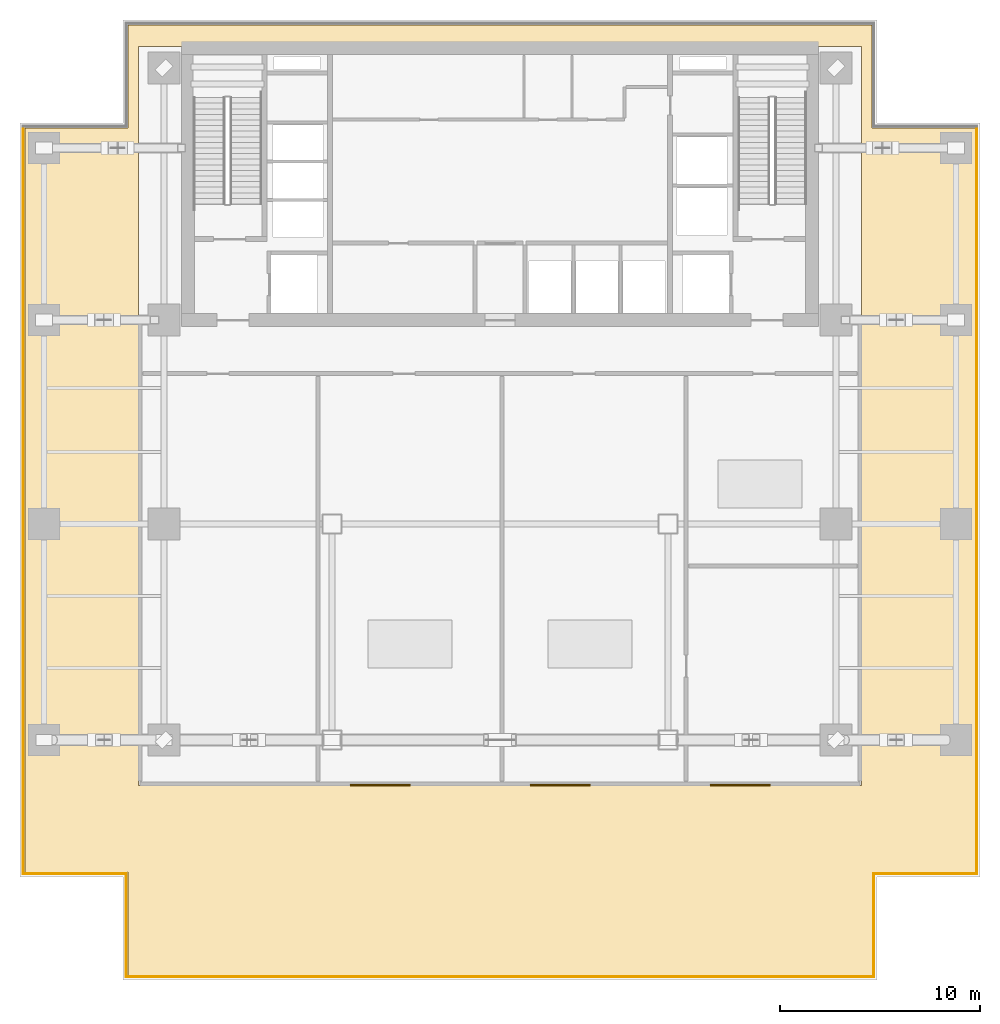
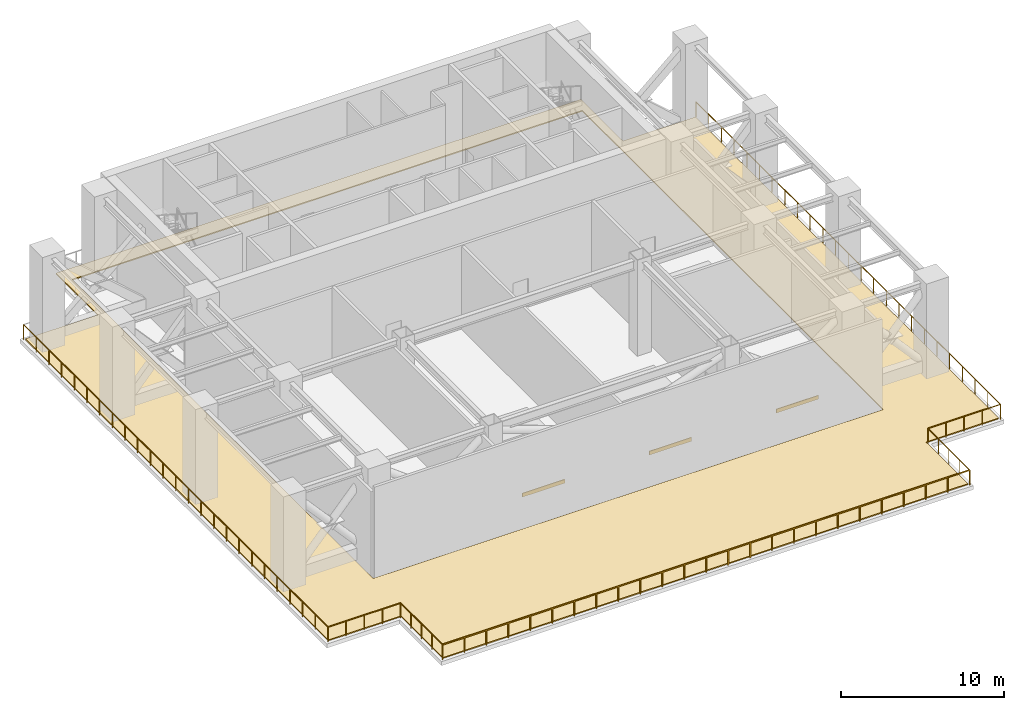
# One storey, part 5 of 8: 7 railings, 3 shading devices, 1 covering.
"""IFC4 building model written with IfcOpenShell, lengths in metres."""

from ifc_helpers import new_model, si_unit, direction, frame, origin, origin_2d, place, context, subcontext, project, spatial, polyline, rectangle, outline, extrude, source, transform, mapped, material, layer, layer_set, material_profile, profile_set, type_object, element, save


model = new_model("IFC4")

# Units and contexts
model_context = context("Model", 3, precision=1e-05, world=origin(), true_north=direction((0.0, 1.0)))
body_context = subcontext(model_context, "Body", "Model", "MODEL_VIEW")
ifc_project = project(units=[si_unit("LENGTHUNIT", "METRE"), si_unit("AREAUNIT", "SQUARE_METRE"), si_unit("VOLUMEUNIT", "CUBIC_METRE"), si_unit("PLANEANGLEUNIT", "RADIAN"), si_unit("MASSUNIT", "GRAM", prefix="KILO")], contexts=[model_context])

# Site, building, storey
site_placement = place(None, origin())
site = spatial("IfcSite", under=ifc_project, at=site_placement, CompositionType="ELEMENT")
building_placement = place(site_placement, origin())
building = spatial("IfcBuilding", under=site, at=building_placement, Name="Sumidabori Civic Tower", CompositionType="ELEMENT")
storey_placement = place(building_placement, frame((0.0, 0.0, 189.199951171875)))
storey = spatial("IfcBuildingStorey", under=building, at=storey_placement, Name="L49", CompositionType="ELEMENT", Elevation=189.199951171875)

# Covering
ifc_material_1 = material(Name="Insulated Waterproof Roofing Membrane")
ifc_layer = layer(ifc_material_1, 0.080078125, Name="Insulated Waterproof Roofing Membrane")
ifc_layer_set = layer_set([ifc_layer], Name="Insulated Waterproof Roofing Membrane")
covering_type = type_object("IfcCoveringType", Name="CV-ROOF-MEM", PredefinedType="ROOFING", material=ifc_layer_set)
covering_placement = place(storey_placement, origin())
element("IfcCovering", 1, at=covering_placement, inside=storey, type_object=covering_type, Name="Wind-Slot Deck Waterproofing Membrane L49-1", PredefinedType="ROOFING", context=body_context, shape_type="SweptSolid", body=[
    extrude(outline(polyline([(-18.610107421875, -17.409912109375), (-23.760009765625, -17.409912109375), (-23.760009765625, 19.81005859375), (-18.610107421875, 19.81005859375), (-18.610107421875, 24.9599609375), (18.610107421875, 24.9599609375), (18.610107421875, 19.81005859375), (23.760009765625, 19.81005859375), (23.760009765625, -17.409912109375), (18.610107421875, -17.409912109375), (18.610107421875, -22.56005859375), (-18.610107421875, -22.56005859375), (-18.610107421875, -17.409912109375)]), holes=[polyline([(18.080078125, 23.8798828125), (-18.080078125, 23.8798828125), (-18.080078125, -13.080078125), (18.080078125, -13.080078125), (18.080078125, 23.8798828125)])]), origin(), (0.0, 0.0, 1.0), 0.080078125),
])

# Railings
ifc_material_2 = material(Name="Anodised Bronze Aluminium AW-6063-T6", Category="aluminium")
railing_type = type_object("IfcRailingType", Name="RL-BAL-1150", PredefinedType="BALUSTRADE", material=ifc_material_2)
railing_1_placement = place(storey_placement, frame((-18.68994140625, -22.639892578125, 0.0)))
element("IfcRailing", 2, at=railing_1_placement, inside=storey, type_object=railing_type, Name="Wind-Slot Refuge Portal Safety Guard L49-01", PredefinedType="BALUSTRADE", context=body_context, shape_type="SweptSolid", body=[
    extrude(rectangle(XDim=0.048095703125, YDim=0.048095703125, at=origin_2d()), frame((0.0, 0.0, 1.1259765625), z_axis=(0.0, 1.0, 0.0), x_axis=(-1.0, 0.0, 0.0)), (0.0, 0.0, 1.0), 5.14990234375),
    extrude(rectangle(XDim=0.0419921875, YDim=0.0419921875, at=origin_2d()), origin(), (0.0, 0.0, 1.0), 1.101806640625),
    extrude(rectangle(XDim=0.0419921875, YDim=0.0419921875, at=origin_2d()), frame((0.0, 1.28759765625, 0.0)), (0.0, 0.0, 1.0), 1.101806640625),
    extrude(rectangle(XDim=0.0419921875, YDim=0.0419921875, at=origin_2d()), frame((0.0, 2.574951171875, 0.0)), (0.0, 0.0, 1.0), 1.101806640625),
    extrude(rectangle(XDim=0.0419921875, YDim=0.0419921875, at=origin_2d()), frame((0.0, 3.8623046875, 0.0)), (0.0, 0.0, 1.0), 1.101806640625),
    extrude(rectangle(XDim=0.0419921875, YDim=0.0419921875, at=origin_2d()), frame((0.0, 5.14990234375, 0.0)), (0.0, 0.0, 1.0), 1.101806640625),
])
railing_2_placement = place(storey_placement, frame((-18.68994140625, -17.489990234375, 0.0)))
element("IfcRailing", 3, at=railing_2_placement, inside=storey, type_object=railing_type, Name="Wind-Slot Refuge Portal Safety Guard L49-02", PredefinedType="BALUSTRADE", context=body_context, shape_type="SweptSolid", body=[
    extrude(rectangle(XDim=0.048095703125, YDim=0.048095703125, at=origin_2d()), frame((0.0, 0.0, 1.1259765625), z_axis=(-1.0, 0.0, 0.0), x_axis=(0.0, -1.0, 0.0)), (0.0, 0.0, 1.0), 5.150146484375),
    extrude(rectangle(XDim=0.0419921875, YDim=0.0419921875, at=origin_2d()), origin(), (0.0, 0.0, 1.0), 1.101806640625),
    extrude(rectangle(XDim=0.0419921875, YDim=0.0419921875, at=origin_2d()), frame((-1.28759765625, 0.0, 0.0)), (0.0, 0.0, 1.0), 1.101806640625),
    extrude(rectangle(XDim=0.0419921875, YDim=0.0419921875, at=origin_2d()), frame((-2.5751953125, 0.0, 0.0)), (0.0, 0.0, 1.0), 1.101806640625),
    extrude(rectangle(XDim=0.0419921875, YDim=0.0419921875, at=origin_2d()), frame((-3.862548828125, 0.0, 0.0)), (0.0, 0.0, 1.0), 1.101806640625),
    extrude(rectangle(XDim=0.0419921875, YDim=0.0419921875, at=origin_2d()), frame((-5.150146484375, 0.0, 0.0)), (0.0, 0.0, 1.0), 1.101806640625),
])
railing_3_placement = place(storey_placement, frame((-23.840087890625, -17.489990234375, 0.0)))
element("IfcRailing", 4, at=railing_3_placement, inside=storey, type_object=railing_type, Name="Wind-Slot Refuge Portal Safety Guard L49-03", PredefinedType="BALUSTRADE", context=body_context, shape_type="SweptSolid", body=[
    extrude(rectangle(XDim=0.048095703125, YDim=0.048095703125, at=origin_2d()), frame((0.0, 0.0, 1.1259765625), z_axis=(0.0, 1.0, 0.0), x_axis=(-1.0, 0.0, 0.0)), (0.0, 0.0, 1.0), 37.3798828125),
    extrude(rectangle(XDim=0.0419921875, YDim=0.0419921875, at=origin_2d()), origin(), (0.0, 0.0, 1.0), 1.101806640625),
    extrude(rectangle(XDim=0.0419921875, YDim=0.0419921875, at=origin_2d()), frame((0.0, 1.5576171875, 0.0)), (0.0, 0.0, 1.0), 1.101806640625),
    extrude(rectangle(XDim=0.0419921875, YDim=0.0419921875, at=origin_2d()), frame((0.0, 3.114990234375, 0.0)), (0.0, 0.0, 1.0), 1.101806640625),
    extrude(rectangle(XDim=0.0419921875, YDim=0.0419921875, at=origin_2d()), frame((0.0, 4.67236328125, 0.0)), (0.0, 0.0, 1.0), 1.101806640625),
    extrude(rectangle(XDim=0.0419921875, YDim=0.0419921875, at=origin_2d()), frame((0.0, 6.22998046875, 0.0)), (0.0, 0.0, 1.0), 1.101806640625),
    extrude(rectangle(XDim=0.0419921875, YDim=0.0419921875, at=origin_2d()), frame((0.0, 7.78759765625, 0.0)), (0.0, 0.0, 1.0), 1.101806640625),
    extrude(rectangle(XDim=0.0419921875, YDim=0.0419921875, at=origin_2d()), frame((0.0, 9.344970703125, 0.0)), (0.0, 0.0, 1.0), 1.101806640625),
    extrude(rectangle(XDim=0.0419921875, YDim=0.0419921875, at=origin_2d()), frame((0.0, 10.90234375, 0.0)), (0.0, 0.0, 1.0), 1.101806640625),
    extrude(rectangle(XDim=0.0419921875, YDim=0.0419921875, at=origin_2d()), frame((0.0, 12.4599609375, 0.0)), (0.0, 0.0, 1.0), 1.101806640625),
    extrude(rectangle(XDim=0.0419921875, YDim=0.0419921875, at=origin_2d()), frame((0.0, 14.017578125, 0.0)), (0.0, 0.0, 1.0), 1.101806640625),
    extrude(rectangle(XDim=0.0419921875, YDim=0.0419921875, at=origin_2d()), frame((0.0, 15.574951171875, 0.0)), (0.0, 0.0, 1.0), 1.101806640625),
    extrude(rectangle(XDim=0.0419921875, YDim=0.0419921875, at=origin_2d()), frame((0.0, 17.13232421875, 0.0)), (0.0, 0.0, 1.0), 1.101806640625),
    extrude(rectangle(XDim=0.0419921875, YDim=0.0419921875, at=origin_2d()), frame((0.0, 18.68994140625, 0.0)), (0.0, 0.0, 1.0), 1.101806640625),
    extrude(rectangle(XDim=0.0419921875, YDim=0.0419921875, at=origin_2d()), frame((0.0, 20.24755859375, 0.0)), (0.0, 0.0, 1.0), 1.101806640625),
    extrude(rectangle(XDim=0.0419921875, YDim=0.0419921875, at=origin_2d()), frame((0.0, 21.804931640625, 0.0)), (0.0, 0.0, 1.0), 1.101806640625),
    extrude(rectangle(XDim=0.0419921875, YDim=0.0419921875, at=origin_2d()), frame((0.0, 23.3623046875, 0.0)), (0.0, 0.0, 1.0), 1.101806640625),
    extrude(rectangle(XDim=0.0419921875, YDim=0.0419921875, at=origin_2d()), frame((0.0, 24.919921875, 0.0)), (0.0, 0.0, 1.0), 1.101806640625),
    extrude(rectangle(XDim=0.0419921875, YDim=0.0419921875, at=origin_2d()), frame((0.0, 26.4775390625, 0.0)), (0.0, 0.0, 1.0), 1.101806640625),
    extrude(rectangle(XDim=0.0419921875, YDim=0.0419921875, at=origin_2d()), frame((0.0, 28.034912109375, 0.0)), (0.0, 0.0, 1.0), 1.101806640625),
    extrude(rectangle(XDim=0.0419921875, YDim=0.0419921875, at=origin_2d()), frame((0.0, 29.59228515625, 0.0)), (0.0, 0.0, 1.0), 1.101806640625),
    extrude(rectangle(XDim=0.0419921875, YDim=0.0419921875, at=origin_2d()), frame((0.0, 31.14990234375, 0.0)), (0.0, 0.0, 1.0), 1.101806640625),
    extrude(rectangle(XDim=0.0419921875, YDim=0.0419921875, at=origin_2d()), frame((0.0, 32.70751953125, 0.0)), (0.0, 0.0, 1.0), 1.101806640625),
    extrude(rectangle(XDim=0.0419921875, YDim=0.0419921875, at=origin_2d()), frame((0.0, 34.264892578125, 0.0)), (0.0, 0.0, 1.0), 1.101806640625),
    extrude(rectangle(XDim=0.0419921875, YDim=0.0419921875, at=origin_2d()), frame((0.0, 35.822265625, 0.0)), (0.0, 0.0, 1.0), 1.101806640625),
    extrude(rectangle(XDim=0.0419921875, YDim=0.0419921875, at=origin_2d()), frame((0.0, 37.3798828125, 0.0)), (0.0, 0.0, 1.0), 1.101806640625),
])
railing_4_placement = place(storey_placement, frame((23.840087890625, 19.889892578125, 0.0)))
element("IfcRailing", 5, at=railing_4_placement, inside=storey, type_object=railing_type, Name="Wind-Slot Refuge Portal Safety Guard L49-09", PredefinedType="BALUSTRADE", context=body_context, shape_type="SweptSolid", body=[
    extrude(rectangle(XDim=0.048095703125, YDim=0.048095703125, at=origin_2d()), frame((0.0, 0.0, 1.1259765625), z_axis=(0.0, -1.0, 0.0), x_axis=(1.0, 0.0, 0.0)), (0.0, 0.0, 1.0), 37.3798828125),
    extrude(rectangle(XDim=0.0419921875, YDim=0.0419921875, at=origin_2d()), origin(), (0.0, 0.0, 1.0), 1.101806640625),
    extrude(rectangle(XDim=0.0419921875, YDim=0.0419921875, at=origin_2d()), frame((0.0, -1.5576171875, 0.0)), (0.0, 0.0, 1.0), 1.101806640625),
    extrude(rectangle(XDim=0.0419921875, YDim=0.0419921875, at=origin_2d()), frame((0.0, -3.114990234375, 0.0)), (0.0, 0.0, 1.0), 1.101806640625),
    extrude(rectangle(XDim=0.0419921875, YDim=0.0419921875, at=origin_2d()), frame((0.0, -4.67236328125, 0.0)), (0.0, 0.0, 1.0), 1.101806640625),
    extrude(rectangle(XDim=0.0419921875, YDim=0.0419921875, at=origin_2d()), frame((0.0, -6.22998046875, 0.0)), (0.0, 0.0, 1.0), 1.101806640625),
    extrude(rectangle(XDim=0.0419921875, YDim=0.0419921875, at=origin_2d()), frame((0.0, -7.78759765625, 0.0)), (0.0, 0.0, 1.0), 1.101806640625),
    extrude(rectangle(XDim=0.0419921875, YDim=0.0419921875, at=origin_2d()), frame((0.0, -9.344970703125, 0.0)), (0.0, 0.0, 1.0), 1.101806640625),
    extrude(rectangle(XDim=0.0419921875, YDim=0.0419921875, at=origin_2d()), frame((0.0, -10.90234375, 0.0)), (0.0, 0.0, 1.0), 1.101806640625),
    extrude(rectangle(XDim=0.0419921875, YDim=0.0419921875, at=origin_2d()), frame((0.0, -12.4599609375, 0.0)), (0.0, 0.0, 1.0), 1.101806640625),
    extrude(rectangle(XDim=0.0419921875, YDim=0.0419921875, at=origin_2d()), frame((0.0, -14.017578125, 0.0)), (0.0, 0.0, 1.0), 1.101806640625),
    extrude(rectangle(XDim=0.0419921875, YDim=0.0419921875, at=origin_2d()), frame((0.0, -15.574951171875, 0.0)), (0.0, 0.0, 1.0), 1.101806640625),
    extrude(rectangle(XDim=0.0419921875, YDim=0.0419921875, at=origin_2d()), frame((0.0, -17.13232421875, 0.0)), (0.0, 0.0, 1.0), 1.101806640625),
    extrude(rectangle(XDim=0.0419921875, YDim=0.0419921875, at=origin_2d()), frame((0.0, -18.68994140625, 0.0)), (0.0, 0.0, 1.0), 1.101806640625),
    extrude(rectangle(XDim=0.0419921875, YDim=0.0419921875, at=origin_2d()), frame((0.0, -20.24755859375, 0.0)), (0.0, 0.0, 1.0), 1.101806640625),
    extrude(rectangle(XDim=0.0419921875, YDim=0.0419921875, at=origin_2d()), frame((0.0, -21.804931640625, 0.0)), (0.0, 0.0, 1.0), 1.101806640625),
    extrude(rectangle(XDim=0.0419921875, YDim=0.0419921875, at=origin_2d()), frame((0.0, -23.3623046875, 0.0)), (0.0, 0.0, 1.0), 1.101806640625),
    extrude(rectangle(XDim=0.0419921875, YDim=0.0419921875, at=origin_2d()), frame((0.0, -24.919921875, 0.0)), (0.0, 0.0, 1.0), 1.101806640625),
    extrude(rectangle(XDim=0.0419921875, YDim=0.0419921875, at=origin_2d()), frame((0.0, -26.4775390625, 0.0)), (0.0, 0.0, 1.0), 1.101806640625),
    extrude(rectangle(XDim=0.0419921875, YDim=0.0419921875, at=origin_2d()), frame((0.0, -28.034912109375, 0.0)), (0.0, 0.0, 1.0), 1.101806640625),
    extrude(rectangle(XDim=0.0419921875, YDim=0.0419921875, at=origin_2d()), frame((0.0, -29.59228515625, 0.0)), (0.0, 0.0, 1.0), 1.101806640625),
    extrude(rectangle(XDim=0.0419921875, YDim=0.0419921875, at=origin_2d()), frame((0.0, -31.14990234375, 0.0)), (0.0, 0.0, 1.0), 1.101806640625),
    extrude(rectangle(XDim=0.0419921875, YDim=0.0419921875, at=origin_2d()), frame((0.0, -32.70751953125, 0.0)), (0.0, 0.0, 1.0), 1.101806640625),
    extrude(rectangle(XDim=0.0419921875, YDim=0.0419921875, at=origin_2d()), frame((0.0, -34.264892578125, 0.0)), (0.0, 0.0, 1.0), 1.101806640625),
    extrude(rectangle(XDim=0.0419921875, YDim=0.0419921875, at=origin_2d()), frame((0.0, -35.822265625, 0.0)), (0.0, 0.0, 1.0), 1.101806640625),
    extrude(rectangle(XDim=0.0419921875, YDim=0.0419921875, at=origin_2d()), frame((0.0, -37.3798828125, 0.0)), (0.0, 0.0, 1.0), 1.101806640625),
])
railing_5_placement = place(storey_placement, frame((23.840087890625, -17.489990234375, 0.0)))
element("IfcRailing", 6, at=railing_5_placement, inside=storey, type_object=railing_type, Name="Wind-Slot Refuge Portal Safety Guard L49-10", PredefinedType="BALUSTRADE", context=body_context, shape_type="SweptSolid", body=[
    extrude(rectangle(XDim=0.048095703125, YDim=0.048095703125, at=origin_2d()), frame((0.0, 0.0, 1.1259765625), z_axis=(-1.0, 0.0, 0.0), x_axis=(0.0, -1.0, 0.0)), (0.0, 0.0, 1.0), 5.150146484375),
    extrude(rectangle(XDim=0.0419921875, YDim=0.0419921875, at=origin_2d()), origin(), (0.0, 0.0, 1.0), 1.101806640625),
    extrude(rectangle(XDim=0.0419921875, YDim=0.0419921875, at=origin_2d()), frame((-1.28759765625, 0.0, 0.0)), (0.0, 0.0, 1.0), 1.101806640625),
    extrude(rectangle(XDim=0.0419921875, YDim=0.0419921875, at=origin_2d()), frame((-2.5751953125, 0.0, 0.0)), (0.0, 0.0, 1.0), 1.101806640625),
    extrude(rectangle(XDim=0.0419921875, YDim=0.0419921875, at=origin_2d()), frame((-3.862548828125, 0.0, 0.0)), (0.0, 0.0, 1.0), 1.101806640625),
    extrude(rectangle(XDim=0.0419921875, YDim=0.0419921875, at=origin_2d()), frame((-5.150146484375, 0.0, 0.0)), (0.0, 0.0, 1.0), 1.101806640625),
])
railing_6_placement = place(storey_placement, frame((18.68994140625, -17.489990234375, 0.0)))
element("IfcRailing", 7, at=railing_6_placement, inside=storey, type_object=railing_type, Name="Wind-Slot Refuge Portal Safety Guard L49-11", PredefinedType="BALUSTRADE", context=body_context, shape_type="SweptSolid", body=[
    extrude(rectangle(XDim=0.048095703125, YDim=0.048095703125, at=origin_2d()), frame((0.0, 0.0, 1.1259765625), z_axis=(0.0, -1.0, 0.0), x_axis=(1.0, 0.0, 0.0)), (0.0, 0.0, 1.0), 5.14990234375),
    extrude(rectangle(XDim=0.0419921875, YDim=0.0419921875, at=origin_2d()), origin(), (0.0, 0.0, 1.0), 1.101806640625),
    extrude(rectangle(XDim=0.0419921875, YDim=0.0419921875, at=origin_2d()), frame((0.0, -1.28759765625, 0.0)), (0.0, 0.0, 1.0), 1.101806640625),
    extrude(rectangle(XDim=0.0419921875, YDim=0.0419921875, at=origin_2d()), frame((0.0, -2.574951171875, 0.0)), (0.0, 0.0, 1.0), 1.101806640625),
    extrude(rectangle(XDim=0.0419921875, YDim=0.0419921875, at=origin_2d()), frame((0.0, -3.8623046875, 0.0)), (0.0, 0.0, 1.0), 1.101806640625),
    extrude(rectangle(XDim=0.0419921875, YDim=0.0419921875, at=origin_2d()), frame((0.0, -5.14990234375, 0.0)), (0.0, 0.0, 1.0), 1.101806640625),
])
railing_7_placement = place(storey_placement, frame((18.68994140625, -22.639892578125, 0.0)))
element("IfcRailing", 8, at=railing_7_placement, inside=storey, type_object=railing_type, Name="Wind-Slot Refuge Portal Safety Guard L49-12", PredefinedType="BALUSTRADE", context=body_context, shape_type="SweptSolid", body=[
    extrude(rectangle(XDim=0.048095703125, YDim=0.048095703125, at=origin_2d()), frame((0.0, 0.0, 1.1259765625), z_axis=(-1.0, 0.0, 0.0), x_axis=(0.0, -1.0, 0.0)), (0.0, 0.0, 1.0), 37.3798828125),
    extrude(rectangle(XDim=0.0419921875, YDim=0.0419921875, at=origin_2d()), origin(), (0.0, 0.0, 1.0), 1.101806640625),
    extrude(rectangle(XDim=0.0419921875, YDim=0.0419921875, at=origin_2d()), frame((-1.5576171875, 0.0, 0.0)), (0.0, 0.0, 1.0), 1.101806640625),
    extrude(rectangle(XDim=0.0419921875, YDim=0.0419921875, at=origin_2d()), frame((-3.114990234375, 0.0, 0.0)), (0.0, 0.0, 1.0), 1.101806640625),
    extrude(rectangle(XDim=0.0419921875, YDim=0.0419921875, at=origin_2d()), frame((-4.67236328125, 0.0, 0.0)), (0.0, 0.0, 1.0), 1.101806640625),
    extrude(rectangle(XDim=0.0419921875, YDim=0.0419921875, at=origin_2d()), frame((-6.22998046875, 0.0, 0.0)), (0.0, 0.0, 1.0), 1.101806640625),
    extrude(rectangle(XDim=0.0419921875, YDim=0.0419921875, at=origin_2d()), frame((-7.78759765625, 0.0, 0.0)), (0.0, 0.0, 1.0), 1.101806640625),
    extrude(rectangle(XDim=0.0419921875, YDim=0.0419921875, at=origin_2d()), frame((-9.344970703125, 0.0, 0.0)), (0.0, 0.0, 1.0), 1.101806640625),
    extrude(rectangle(XDim=0.0419921875, YDim=0.0419921875, at=origin_2d()), frame((-10.90234375, 0.0, 0.0)), (0.0, 0.0, 1.0), 1.101806640625),
    extrude(rectangle(XDim=0.0419921875, YDim=0.0419921875, at=origin_2d()), frame((-12.4599609375, 0.0, 0.0)), (0.0, 0.0, 1.0), 1.101806640625),
    extrude(rectangle(XDim=0.0419921875, YDim=0.0419921875, at=origin_2d()), frame((-14.017578125, 0.0, 0.0)), (0.0, 0.0, 1.0), 1.101806640625),
    extrude(rectangle(XDim=0.0419921875, YDim=0.0419921875, at=origin_2d()), frame((-15.574951171875, 0.0, 0.0)), (0.0, 0.0, 1.0), 1.101806640625),
    extrude(rectangle(XDim=0.0419921875, YDim=0.0419921875, at=origin_2d()), frame((-17.13232421875, 0.0, 0.0)), (0.0, 0.0, 1.0), 1.101806640625),
    extrude(rectangle(XDim=0.0419921875, YDim=0.0419921875, at=origin_2d()), frame((-18.68994140625, 0.0, 0.0)), (0.0, 0.0, 1.0), 1.101806640625),
    extrude(rectangle(XDim=0.0419921875, YDim=0.0419921875, at=origin_2d()), frame((-20.24755859375, 0.0, 0.0)), (0.0, 0.0, 1.0), 1.101806640625),
    extrude(rectangle(XDim=0.0419921875, YDim=0.0419921875, at=origin_2d()), frame((-21.804931640625, 0.0, 0.0)), (0.0, 0.0, 1.0), 1.101806640625),
    extrude(rectangle(XDim=0.0419921875, YDim=0.0419921875, at=origin_2d()), frame((-23.3623046875, 0.0, 0.0)), (0.0, 0.0, 1.0), 1.101806640625),
    extrude(rectangle(XDim=0.0419921875, YDim=0.0419921875, at=origin_2d()), frame((-24.919921875, 0.0, 0.0)), (0.0, 0.0, 1.0), 1.101806640625),
    extrude(rectangle(XDim=0.0419921875, YDim=0.0419921875, at=origin_2d()), frame((-26.4775390625, 0.0, 0.0)), (0.0, 0.0, 1.0), 1.101806640625),
    extrude(rectangle(XDim=0.0419921875, YDim=0.0419921875, at=origin_2d()), frame((-28.034912109375, 0.0, 0.0)), (0.0, 0.0, 1.0), 1.101806640625),
    extrude(rectangle(XDim=0.0419921875, YDim=0.0419921875, at=origin_2d()), frame((-29.59228515625, 0.0, 0.0)), (0.0, 0.0, 1.0), 1.101806640625),
    extrude(rectangle(XDim=0.0419921875, YDim=0.0419921875, at=origin_2d()), frame((-31.14990234375, 0.0, 0.0)), (0.0, 0.0, 1.0), 1.101806640625),
    extrude(rectangle(XDim=0.0419921875, YDim=0.0419921875, at=origin_2d()), frame((-32.70751953125, 0.0, 0.0)), (0.0, 0.0, 1.0), 1.101806640625),
    extrude(rectangle(XDim=0.0419921875, YDim=0.0419921875, at=origin_2d()), frame((-34.264892578125, 0.0, 0.0)), (0.0, 0.0, 1.0), 1.101806640625),
    extrude(rectangle(XDim=0.0419921875, YDim=0.0419921875, at=origin_2d()), frame((-35.822265625, 0.0, 0.0)), (0.0, 0.0, 1.0), 1.101806640625),
    extrude(rectangle(XDim=0.0419921875, YDim=0.0419921875, at=origin_2d()), frame((-37.3798828125, 0.0, 0.0)), (0.0, 0.0, 1.0), 1.101806640625),
])

# Shading devices
ifc_material_profile = material_profile(ifc_material_2, rectangle(XDim=0.050048828125, YDim=0.280029296875, at=origin_2d()), Name="BRONZE LOUVRE 280x50")
ifc_profile_set = profile_set([ifc_material_profile], Name="Anodised Bronze Aluminium AW-6063-T6")
shading_device_type = type_object("IfcShadingDeviceType", Name="SH-LVR-280", PredefinedType="JALOUSIE", material=ifc_profile_set)
shared_shape = source(origin(), body_context, "Body", "SweptSolid", [
    extrude(rectangle(XDim=0.050048828125, YDim=0.280029296875, at=origin_2d()), origin(), (0.0, 0.0, 1.0), 3.0),
])
for number, where, z_axis, x_axis, name in (
    (9, (-7.5, -13.050048828125, 2.60009765625), (1.0, 0.0, 0.0), (0.0, 1.0, 0.0), "Recessed Plant Pod Weather Louvre L49-1"),
    (10, (1.5, -13.050048828125, 2.60009765625), (1.0, 0.0, 0.0), (0.0, 1.0, 0.0), "Recessed Plant Pod Weather Louvre L49-2"),
    (11, (10.5, -13.050048828125, 2.60009765625), (1.0, 0.0, 0.0), (0.0, 1.0, 0.0), "Recessed Plant Pod Weather Louvre L49-3"),
):
    element("IfcShadingDevice", number, at=place(storey_placement, frame(where, z_axis=z_axis, x_axis=x_axis)), inside=storey, type_object=shading_device_type, Name=name, PredefinedType="JALOUSIE", context=body_context, shape_type="MappedRepresentation", body=[
        mapped(shared_shape, transform((0.0, 0.0, 0.0), x_axis=(1.0, 0.0, 0.0), y_axis=(0.0, 1.0, 0.0), z_axis=(0.0, 0.0, 1.0), scale=1.0)),
    ])

save(model, "model.ifc")
